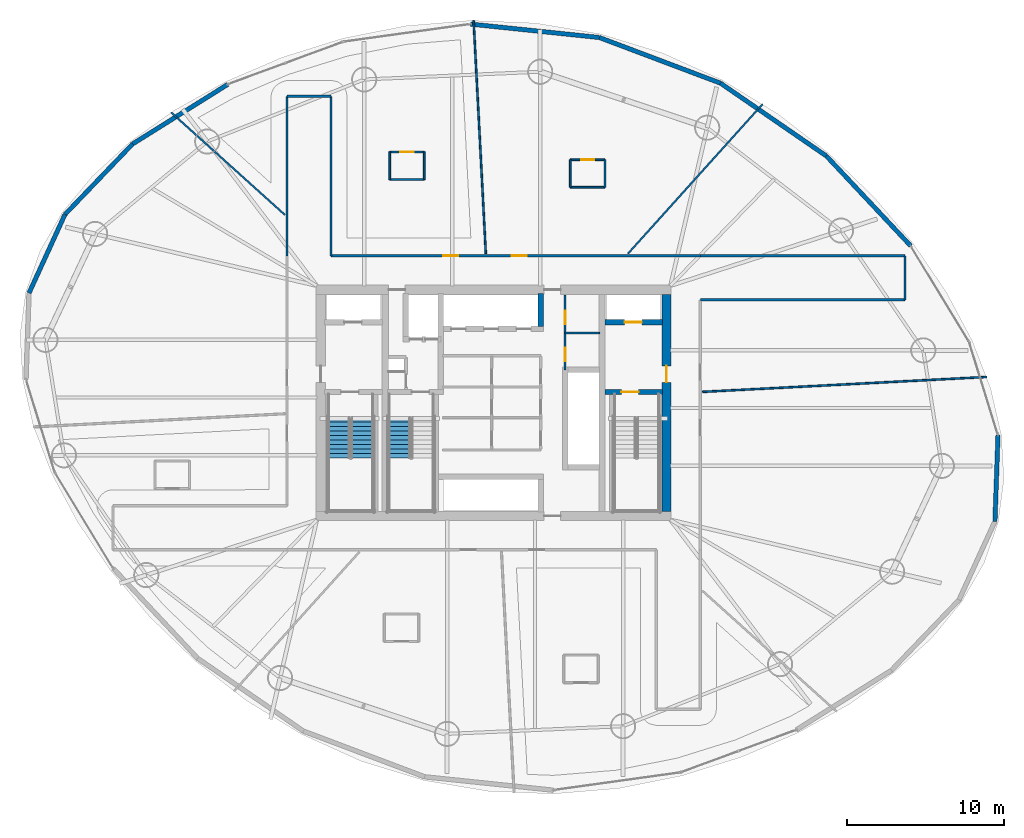
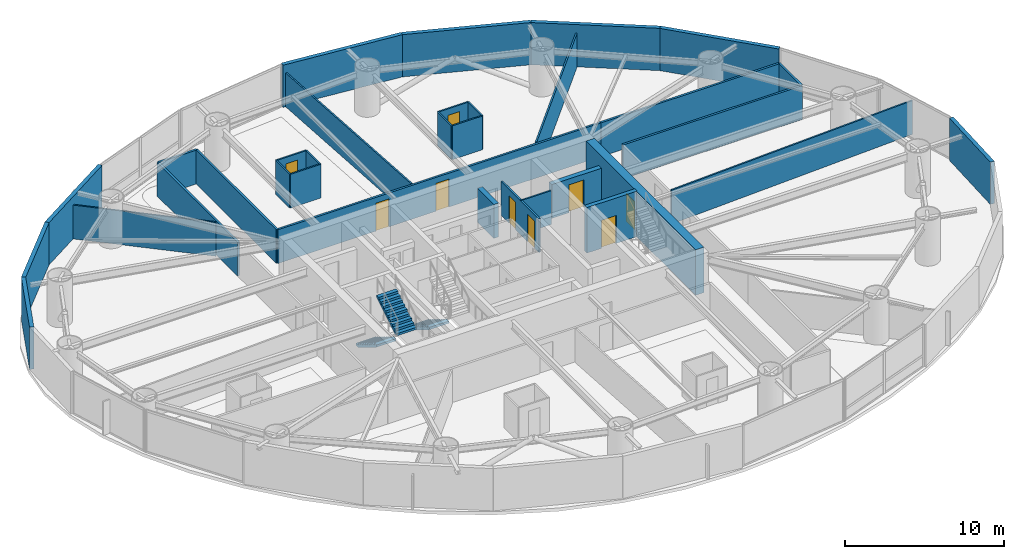
# One storey, part 25 of 30: 33 walls, 9 doors, 3 stair flights, 9 openings, 2 elements without a shape of their own.
"""IFC4 building model written with IfcOpenShell, lengths in metres."""

from ifc_helpers import new_model, si_unit, direction, frame, frame_2d, origin, place, context, subcontext, project, spatial, polyline, rectangle, outline, extrude, material, layer, layer_set, type_object, element, fill, aggregate, save


model = new_model("IFC4")

# Units and contexts
model_context = context("Model", 3, precision=1e-05, world=origin(), true_north=direction((0.0, 1.0)))
body_context = subcontext(model_context, "Body", "Model", "MODEL_VIEW")
ifc_project = project(units=[si_unit("LENGTHUNIT", "METRE"), si_unit("AREAUNIT", "SQUARE_METRE"), si_unit("VOLUMEUNIT", "CUBIC_METRE"), si_unit("PLANEANGLEUNIT", "RADIAN"), si_unit("MASSUNIT", "GRAM", prefix="KILO")], contexts=[model_context])

# Site, building, storey
site_placement = place(None, origin())
site = spatial("IfcSite", under=ifc_project, at=site_placement, CompositionType="ELEMENT")
building_placement = place(site_placement, origin())
building = spatial("IfcBuilding", under=site, at=building_placement, Name="Bramvorn Convention Spire", CompositionType="ELEMENT")
storey_placement = place(building_placement, frame((0.0, 0.0, 86.89990234375)))
storey = spatial("IfcBuildingStorey", under=building, at=storey_placement, Name="L20", CompositionType="ELEMENT", Elevation=86.89990234375)

# Wall, opening, door
ifc_material_1 = material(Name="Concrete C60/70", Category="concrete")
ifc_layer_1 = layer(ifc_material_1, 0.60009765625)
ifc_layer_set_1 = layer_set([ifc_layer_1], Name="Concrete C60/70 - WL-CORE-600")
wall_type_1 = type_object("IfcWallType", Name="WL-CORE-600", PredefinedType="SHEAR", material=ifc_layer_set_1)
wall_1_placement = place(storey_placement, frame((49.0, 19.10009765625, 0.0), z_axis=(0.0, 0.0, 1.0), x_axis=(0.0, 1.0, 0.0)))
wall_1 = element("IfcWall", 1, at=wall_1_placement, inside=storey, type_object=wall_type_1, Name="L20 East RC core shear wall", PredefinedType="SHEAR", context=body_context, shape_type="SweptSolid", body=[
    extrude(rectangle(XDim=13.7998046875, YDim=0.60009765625, at=frame_2d((6.89990234375, 0.0))), origin(), (0.0, 0.0, 1.0), 3.5),
])
opening_1_placement = place(wall_1_placement, frame((8.199951171875, 0.0, 0.0)))
opening_1 = element("IfcOpeningElement", 2, at=opening_1_placement, cuts=wall_1, Name="Opening DL-105", PredefinedType="OPENING", context=body_context, shape_type="SweptSolid", body=[
    extrude(rectangle(XDim=1.050048828125, YDim=2.14990234375, at=frame_2d((0.52490234375, 1.074951171875))), frame((0.0, 0.31005859375, 0.0), z_axis=(0.0, -1.0, 0.0), x_axis=(1.0, 0.0, 0.0)), (0.0, 0.0, 1.0), 0.6201171875),
])
ifc_material_2 = material(Name="Smoke-Sealed Fire Lobby Timber-Core Door", Category="wood")
door_type_1 = type_object("IfcDoorType", Name="DR-LOBBY-1050", OperationType="NOTDEFINED", PredefinedType="DOOR", material=ifc_material_2)
door_1_placement = place(opening_1_placement, origin())
door_1 = element("IfcDoor", 3, at=door_1_placement, inside=storey, type_object=door_type_1, Name="L20 East Firefighting Lobby corridor door", OperationType="SINGLE_SWING_LEFT", OverallHeight=2.14990234375, OverallWidth=1.050048828125, PredefinedType="DOOR", context=body_context, shape_type="SweptSolid", body=[
    extrude(rectangle(XDim=1.050048828125, YDim=2.14990234375, at=frame_2d((0.52490234375, 1.074951171875))), frame((0.0, 0.02490234375, 0.0), z_axis=(0.0, -1.0, 0.0), x_axis=(1.0, 0.0, 0.0)), (0.0, 0.0, 1.0), 0.050048828125),
])
fill(opening_1, door_1)

ifc_material_3 = material(Name="Concrete C50/60", Category="concrete")
ifc_layer_2 = layer(ifc_material_3, 0.35009765625)
ifc_layer_set_2 = layer_set([ifc_layer_2], Name="Concrete C50/60 - WL-CORE-INT-350")
wall_type_2 = type_object("IfcWallType", Name="WL-CORE-INT-350", PredefinedType="SHEAR", material=ifc_layer_set_2)
wall_2_placement = place(storey_placement, frame((45.080078125, 31.1201171875, 0.0), z_axis=(0.0, 0.0, 1.0), x_axis=(1.0, 0.0, 0.0)))
wall_2 = element("IfcWall", 4, at=wall_2_placement, inside=storey, type_object=wall_type_2, Name="L20 FE2 shaft front wall", PredefinedType="SHEAR", context=body_context, shape_type="SweptSolid", body=[
    extrude(rectangle(XDim=3.669921875, YDim=0.35009765625, at=frame_2d((1.8349609375, 0.0))), origin(), (0.0, 0.0, 1.0), 2.60009765625),
])
opening_2_placement = place(wall_2_placement, frame((1.25, 0.0, 0.0)))
opening_2 = element("IfcOpeningElement", 5, at=opening_2_placement, cuts=wall_2, Name="Opening LD-110", PredefinedType="OPENING", context=body_context, shape_type="SweptSolid", body=[
    extrude(rectangle(XDim=1.10009765625, YDim=2.14990234375, at=frame_2d((0.550048828125, 1.074951171875))), frame((0.0, 0.18505859375, 0.0), z_axis=(0.0, -1.0, 0.0), x_axis=(1.0, 0.0, 0.0)), (0.0, 0.0, 1.0), 0.3701171875),
])
ifc_material_4 = material(Name="Firefighting & Service Lift Sliding Landing Door", Category="steel")
door_type_2 = type_object("IfcDoorType", Name="DR-LIFT-LD-1100", OperationType="NOTDEFINED", PredefinedType="DOOR", material=ifc_material_4)
door_2_placement = place(opening_2_placement, origin())
door_2 = element("IfcDoor", 6, at=door_2_placement, inside=storey, type_object=door_type_2, Name="L20 Lift FE2 Sliding Landing Door", OperationType="SLIDING_TO_LEFT", OverallHeight=2.14990234375, OverallWidth=1.10009765625, PredefinedType="DOOR", context=body_context, shape_type="SweptSolid", body=[
    extrude(rectangle(XDim=1.10009765625, YDim=2.14990234375, at=frame_2d((0.550048828125, 1.074951171875))), frame((0.0, 0.02490234375, 0.0), z_axis=(0.0, -1.0, 0.0), x_axis=(1.0, 0.0, 0.0)), (0.0, 0.0, 1.0), 0.050048828125),
])
fill(opening_2, door_2)

# Walls
wall_3_placement = place(storey_placement, frame((41.0, 30.8701171875, 0.0), z_axis=(0.0, 0.0, 1.0), x_axis=(0.0, 1.0, 0.0)))
element("IfcWall", 7, at=wall_3_placement, inside=storey, type_object=wall_type_2, Name="L20 Low-rise bank east cheek wall", PredefinedType="SHEAR", context=body_context, shape_type="SweptSolid", body=[
    extrude(rectangle(XDim=2.079833984375, YDim=0.35009765625, at=frame_2d((1.0400390625, 0.0))), origin(), (0.0, 0.0, 1.0), 2.60009765625),
])
ifc_material_5 = material(Name="Precast Concrete C40/50 with Bronze Terracotta Rainscreen", Category="masonry")
ifc_layer_3 = layer(ifc_material_5, 0.300048828125)
ifc_layer_set_3 = layer_set([ifc_layer_3], Name="Precast Concrete C40/50 with Bronze Terracotta Rainscreen - WL-EXT-BRONZE-300")
wall_type_3 = type_object("IfcWallType", Name="WL-EXT-BRONZE-300", PredefinedType="SOLIDWALL", material=ifc_layer_set_3)
wall_4_placement = place(storey_placement, frame((70.09375, 23.952880859375, 0.0), z_axis=(0.0, 0.0, 1.0), x_axis=(-0.035084816569, -0.999384338303, 0.0)))
element("IfcWall", 8, at=wall_4_placement, inside=storey, type_object=wall_type_3, Name="L20 expressed bronze Gothic lancet pier wall 01", PredefinedType="SOLIDWALL", context=body_context, shape_type="SweptSolid", body=[
    extrude(rectangle(XDim=5.497314453125, YDim=0.280029296875, at=frame_2d((2.74853515625, 0.0))), origin(), (0.0, 0.0, 1.0), 3.25),
])
wall_5_placement = place(storey_placement, frame((59.17138671875, 41.707763671875, 0.0), z_axis=(0.0, 0.0, 1.0), x_axis=(0.684312676724, -0.729188700183, 0.0)))
element("IfcWall", 9, at=wall_5_placement, inside=storey, type_object=wall_type_3, Name="L20 expressed bronze Gothic lancet pier wall 04", PredefinedType="SOLIDWALL", context=body_context, shape_type="SweptSolid", body=[
    extrude(rectangle(XDim=7.844970703125, YDim=0.280029296875, at=frame_2d((3.92236328125, 0.0))), origin(), (0.0, 0.0, 1.0), 3.25),
])
wall_6_placement = place(storey_placement, frame((52.439697265625, 46.3388671875, 0.0), z_axis=(0.0, 0.0, 1.0), x_axis=(0.823866650005, -0.566783682731, 0.0)))
element("IfcWall", 10, at=wall_6_placement, inside=storey, type_object=wall_type_3, Name="L20 expressed bronze Gothic lancet pier wall 05", PredefinedType="SOLIDWALL", context=body_context, shape_type="SweptSolid", body=[
    extrude(rectangle(XDim=8.1708984375, YDim=0.280029296875, at=frame_2d((4.08544921875, 0.0))), origin(), (0.0, 0.0, 1.0), 3.25),
])
for number, where, z_axis, x_axis, name in (
    (11, (44.728271484375, 49.24609375, 0.0), (0.0, 0.0, 1.0), (0.935711714366, -0.352765627008, 0.0), "L20 expressed bronze Gothic lancet pier wall 06"),
    (12, (36.53125, 50.099365234375, 0.0), (0.0, 0.0, 1.0), (0.994625720195, -0.103535871693, 0.0), "L20 expressed bronze Gothic lancet pier wall 07"),
):
    element("IfcWall", number, at=place(storey_placement, frame(where, z_axis=z_axis, x_axis=x_axis)), inside=storey, type_object=wall_type_3, Name=name, PredefinedType="SOLIDWALL", context=body_context, shape_type="SweptSolid", body=[
        extrude(rectangle(XDim=8.2412109375, YDim=0.280029296875, at=frame_2d((4.12060546875, 0.0))), origin(), (0.0, 0.0, 1.0), 3.25),
    ])
wall_7_placement = place(storey_placement, frame((15.023681640625, 42.469970703125, 0.0), z_axis=(0.0, 0.0, 1.0), x_axis=(0.847464048159, 0.530852792287, 0.0)))
element("IfcWall", 13, at=wall_7_placement, inside=storey, type_object=wall_type_3, Name="L20 expressed bronze Gothic lancet pier wall 10", PredefinedType="SOLIDWALL", context=body_context, shape_type="SweptSolid", body=[
    extrude(rectangle(XDim=7.142822265625, YDim=0.280029296875, at=frame_2d((3.5712890625, 0.0))), origin(), (0.0, 0.0, 1.0), 3.25),
])
wall_8_placement = place(storey_placement, frame((10.72216796875, 37.98779296875, 0.0), z_axis=(0.0, 0.0, 1.0), x_axis=(0.692416473414, 0.721498043896, 0.0)))
element("IfcWall", 14, at=wall_8_placement, inside=storey, type_object=wall_type_3, Name="L20 expressed bronze Gothic lancet pier wall 11", PredefinedType="SOLIDWALL", context=body_context, shape_type="SweptSolid", body=[
    extrude(rectangle(XDim=6.21240234375, YDim=0.280029296875, at=frame_2d((3.106201171875, 0.0))), origin(), (0.0, 0.0, 1.0), 3.25),
])
wall_9_placement = place(storey_placement, frame((8.434814453125, 32.989013671875, 0.0), z_axis=(0.0, 0.0, 1.0), x_axis=(0.416090344284, 0.909323278814, 0.0)))
element("IfcWall", 15, at=wall_9_placement, inside=storey, type_object=wall_type_3, Name="L20 expressed bronze Gothic lancet pier wall 12", PredefinedType="SOLIDWALL", context=body_context, shape_type="SweptSolid", body=[
    extrude(rectangle(XDim=5.497314453125, YDim=0.280029296875, at=frame_2d((2.74853515625, 0.0))), origin(), (0.0, 0.0, 1.0), 3.25),
])
ifc_material_6 = material(Name="Lightweight En-Suite & Wet-Wall Partition", Category="gypsum")
ifc_layer_4 = layer(ifc_material_6, 0.110107421875)
ifc_layer_set_4 = layer_set([ifc_layer_4], Name="Lightweight En-Suite & Wet-Wall Partition - WL-PART-110")
wall_type_4 = type_object("IfcWallType", Name="WL-PART-110", PredefinedType="PARTITIONING", material=ifc_layer_set_4)
wall_10_placement = place(storey_placement, frame((42.550048828125, 30.449951171875, 0.0), z_axis=(0.0, 0.0, 1.0), x_axis=(1.0, 0.0, 0.0)))
element("IfcWall", 16, at=wall_10_placement, inside=storey, type_object=wall_type_4, Name="L20 KB NE divider", PredefinedType="PARTITIONING", context=body_context, shape_type="SweptSolid", body=[
    extrude(rectangle(XDim=2.199951171875, YDim=0.110107421875, at=frame_2d((1.10009765625, 0.0))), origin(), (0.0, 0.0, 1.0), 2.60009765625),
])
wall_11_placement = place(storey_placement, frame((51.2900390625, 26.696533203125, 0.0), z_axis=(0.0, 0.0, 1.0), x_axis=(0.998629382131, 0.052338868396, 0.0)))
element("IfcWall", 17, at=wall_11_placement, inside=storey, type_object=wall_type_4, Name="L20 Guestroom demising wall 1", PredefinedType="PARTITIONING", context=body_context, shape_type="SweptSolid", body=[
    extrude(rectangle(XDim=18.117431640625, YDim=0.110107421875, at=frame_2d((9.05859375, 0.0))), origin(), (0.0, 0.0, 1.0), 2.60009765625),
])
wall_12_placement = place(storey_placement, frame((46.544921875, 35.489990234375, 0.0), z_axis=(0.0, 0.0, 1.0), x_axis=(0.669123599227, 0.743151134668, 0.0)))
element("IfcWall", 18, at=wall_12_placement, inside=storey, type_object=wall_type_4, Name="L20 Guestroom demising wall 2", PredefinedType="PARTITIONING", context=body_context, shape_type="SweptSolid", body=[
    extrude(rectangle(XDim=12.819091796875, YDim=0.110107421875, at=frame_2d((6.40966796875, 0.0))), origin(), (0.0, 0.0, 1.0), 2.60009765625),
])
wall_13_placement = place(storey_placement, frame((37.502685546875, 35.489990234375, 0.0), z_axis=(0.0, 0.0, 1.0), x_axis=(-0.052342802502, 0.998629175934, 0.0)))
element("IfcWall", 19, at=wall_13_placement, inside=storey, type_object=wall_type_4, Name="L20 Guestroom demising wall 3", PredefinedType="PARTITIONING", context=body_context, shape_type="SweptSolid", body=[
    extrude(rectangle(XDim=14.888427734375, YDim=0.110107421875, at=frame_2d((7.4443359375, 0.0))), origin(), (0.0, 0.0, 1.0), 2.60009765625),
])
wall_14_placement = place(storey_placement, frame((24.7099609375, 37.96630859375, 0.0), z_axis=(0.0, 0.0, 1.0), x_axis=(-0.743136101369, 0.669140295336, 0.0)))
element("IfcWall", 20, at=wall_14_placement, inside=storey, type_object=wall_type_4, Name="L20 Guestroom demising wall 4", PredefinedType="PARTITIONING", context=body_context, shape_type="SweptSolid", body=[
    extrude(rectangle(XDim=9.75634765625, YDim=0.110107421875, at=frame_2d((4.878173828125, 0.0))), origin(), (0.0, 0.0, 1.0), 2.60009765625),
])
wall_15_placement = place(storey_placement, frame((42.880126953125, 39.711181640625, 0.0), z_axis=(0.0, 0.0, 1.0), x_axis=(1.0, 0.0, 0.0)))
element("IfcWall", 21, at=wall_15_placement, inside=storey, type_object=wall_type_4, Name="Hotel Suite 2002 en-suite south wall", PredefinedType="PARTITIONING", context=body_context, shape_type="SweptSolid", body=[
    extrude(rectangle(XDim=2.199951171875, YDim=0.110107421875, at=frame_2d((1.10009765625, 0.0))), origin(), (0.0, 0.0, 1.0), 2.60009765625),
])

# Wall, opening, door
wall_16_placement = place(storey_placement, frame((42.880126953125, 41.47119140625, 0.0), z_axis=(0.0, 0.0, 1.0), x_axis=(1.0, 0.0, 0.0)))
wall_16 = element("IfcWall", 22, at=wall_16_placement, inside=storey, type_object=wall_type_4, Name="Hotel Suite 2002 en-suite north wall", PredefinedType="PARTITIONING", context=body_context, shape_type="SweptSolid", body=[
    extrude(rectangle(XDim=2.199951171875, YDim=0.110107421875, at=frame_2d((1.10009765625, 0.0))), origin(), (0.0, 0.0, 1.0), 2.60009765625),
])
opening_3_placement = place(wall_16_placement, frame((0.679931640625, 0.0, 0.0)))
opening_3 = element("IfcOpeningElement", 23, at=opening_3_placement, cuts=wall_16, Name="Opening DI-085", PredefinedType="OPENING", context=body_context, shape_type="SweptSolid", body=[
    extrude(rectangle(XDim=0.85009765625, YDim=2.10009765625, at=frame_2d((0.425048828125, 1.050048828125))), frame((0.0, 0.06494140625, 0.0), z_axis=(0.0, -1.0, 0.0), x_axis=(1.0, 0.0, 0.0)), (0.0, 0.0, 1.0), 0.130126953125),
])
ifc_material_7 = material(Name="En-Suite & Restroom Privacy Door", Category="wood")
door_type_3 = type_object("IfcDoorType", Name="DR-INT-850", OperationType="NOTDEFINED", PredefinedType="DOOR", material=ifc_material_7)
door_3_placement = place(opening_3_placement, origin())
door_3 = element("IfcDoor", 24, at=door_3_placement, inside=storey, type_object=door_type_3, Name="Hotel Suite 2002 En-Suite Bathroom door", OperationType="SINGLE_SWING_LEFT", OverallHeight=2.10009765625, OverallWidth=0.85009765625, PredefinedType="DOOR", context=body_context, shape_type="SweptSolid", body=[
    extrude(rectangle(XDim=0.85009765625, YDim=2.10009765625, at=frame_2d((0.425048828125, 1.050048828125))), frame((0.0, 0.02490234375, 0.0), z_axis=(0.0, -1.0, 0.0), x_axis=(1.0, 0.0, 0.0)), (0.0, 0.0, 1.0), 0.050048828125),
])
fill(opening_3, door_3)

# Walls
for number, where, z_axis, x_axis, name in (
    (25, (42.880126953125, 39.711181640625, 0.0), (0.0, 0.0, 1.0), (0.0, 1.0, 0.0), "Hotel Suite 2002 en-suite west wall"),
    (26, (45.080078125, 39.711181640625, 0.0), (0.0, 0.0, 1.0), (0.0, 1.0, 0.0), "Hotel Suite 2002 en-suite east wall"),
):
    element("IfcWall", number, at=place(storey_placement, frame(where, z_axis=z_axis, x_axis=x_axis)), inside=storey, type_object=wall_type_4, Name=name, PredefinedType="PARTITIONING", context=body_context, shape_type="SweptSolid", body=[
        extrude(rectangle(XDim=1.760009765625, YDim=0.110107421875, at=frame_2d((0.8798828125, 0.0))), origin(), (0.0, 0.0, 1.0), 2.60009765625),
    ])
wall_17_placement = place(storey_placement, frame((31.388916015625, 40.205078125, 0.0), z_axis=(0.0, 0.0, 1.0), x_axis=(1.0, 0.0, 0.0)))
element("IfcWall", 27, at=wall_17_placement, inside=storey, type_object=wall_type_4, Name="Hotel Suite 2003 en-suite south wall", PredefinedType="PARTITIONING", context=body_context, shape_type="SweptSolid", body=[
    extrude(rectangle(XDim=2.199951171875, YDim=0.110107421875, at=frame_2d((1.10009765625, 0.0))), origin(), (0.0, 0.0, 1.0), 2.60009765625),
])

# Wall, opening, door
wall_18_placement = place(storey_placement, frame((31.388916015625, 41.965087890625, 0.0), z_axis=(0.0, 0.0, 1.0), x_axis=(1.0, 0.0, 0.0)))
wall_18 = element("IfcWall", 28, at=wall_18_placement, inside=storey, type_object=wall_type_4, Name="Hotel Suite 2003 en-suite north wall", PredefinedType="PARTITIONING", context=body_context, shape_type="SweptSolid", body=[
    extrude(rectangle(XDim=2.199951171875, YDim=0.110107421875, at=frame_2d((1.10009765625, 0.0))), origin(), (0.0, 0.0, 1.0), 2.60009765625),
])
opening_4_placement = place(wall_18_placement, frame((0.679931640625, 0.0, 0.0)))
opening_4 = element("IfcOpeningElement", 29, at=opening_4_placement, cuts=wall_18, Name="Opening DI-085", PredefinedType="OPENING", context=body_context, shape_type="SweptSolid", body=[
    extrude(rectangle(XDim=0.85009765625, YDim=2.10009765625, at=frame_2d((0.425048828125, 1.050048828125))), frame((0.0, 0.06494140625, 0.0), z_axis=(0.0, -1.0, 0.0), x_axis=(1.0, 0.0, 0.0)), (0.0, 0.0, 1.0), 0.130126953125),
])
door_4_placement = place(opening_4_placement, origin())
door_4 = element("IfcDoor", 30, at=door_4_placement, inside=storey, type_object=door_type_3, Name="Hotel Suite 2003 En-Suite Bathroom door", OperationType="SINGLE_SWING_LEFT", OverallHeight=2.10009765625, OverallWidth=0.85009765625, PredefinedType="DOOR", context=body_context, shape_type="SweptSolid", body=[
    extrude(rectangle(XDim=0.85009765625, YDim=2.10009765625, at=frame_2d((0.425048828125, 1.050048828125))), frame((0.0, 0.02490234375, 0.0), z_axis=(0.0, -1.0, 0.0), x_axis=(1.0, 0.0, 0.0)), (0.0, 0.0, 1.0), 0.050048828125),
])
fill(opening_4, door_4)

# Walls
for number, where, z_axis, x_axis, name in (
    (31, (31.388916015625, 40.205078125, 0.0), (0.0, 0.0, 1.0), (0.0, 1.0, 0.0), "Hotel Suite 2003 en-suite west wall"),
    (32, (33.5888671875, 40.205078125, 0.0), (0.0, 0.0, 1.0), (0.0, 1.0, 0.0), "Hotel Suite 2003 en-suite east wall"),
):
    element("IfcWall", number, at=place(storey_placement, frame(where, z_axis=z_axis, x_axis=x_axis)), inside=storey, type_object=wall_type_4, Name=name, PredefinedType="PARTITIONING", context=body_context, shape_type="SweptSolid", body=[
        extrude(rectangle(XDim=1.760009765625, YDim=0.110107421875, at=frame_2d((0.8798828125, 0.0))), origin(), (0.0, 0.0, 1.0), 2.60009765625),
    ])

# Wall, openings, doors
ifc_material_8 = material(Name="Metal-Stud Demountable Office Partition", Category="gypsum")
ifc_layer_5 = layer(ifc_material_8, 0.1298828125)
ifc_layer_set_5 = layer_set([ifc_layer_5], Name="Metal-Stud Demountable Office Partition - WL-PART-130")
wall_type_5 = type_object("IfcWallType", Name="WL-PART-130", PredefinedType="PARTITIONING", material=ifc_layer_set_5)
wall_19_placement = place(storey_placement, frame((42.550048828125, 28.10009765625, 0.0), z_axis=(0.0, 0.0, 1.0), x_axis=(0.0, 1.0, 0.0)))
wall_19 = element("IfcWall", 33, at=wall_19_placement, inside=storey, type_object=wall_type_5, Name="L20 KB NE split wall", PredefinedType="PARTITIONING", context=body_context, shape_type="SweptSolid", body=[
    extrude(rectangle(XDim=4.75, YDim=0.1298828125, at=frame_2d((2.375, 0.0))), origin(), (0.0, 0.0, 1.0), 2.60009765625),
])
opening_5_placement = place(wall_19_placement, frame((0.550048828125, 0.0, 0.0)))
opening_5 = element("IfcOpeningElement", 34, at=opening_5_placement, cuts=wall_19, Name="Opening DC-085", PredefinedType="OPENING", context=body_context, shape_type="SweptSolid", body=[
    extrude(rectangle(XDim=0.85009765625, YDim=2.10009765625, at=frame_2d((0.425048828125, 1.050048828125))), frame((0.0, 0.074951171875, 0.0), z_axis=(0.0, -1.0, 0.0), x_axis=(1.0, 0.0, 0.0)), (0.0, 0.0, 1.0), 0.14990234375),
])
opening_6_placement = place(wall_19_placement, frame((2.89990234375, 0.0, 0.0)))
opening_6 = element("IfcOpeningElement", 35, at=opening_6_placement, cuts=wall_19, Name="Opening DC-085", PredefinedType="OPENING", context=body_context, shape_type="SweptSolid", body=[
    extrude(rectangle(XDim=0.85009765625, YDim=2.10009765625, at=frame_2d((0.425048828125, 1.050048828125))), frame((0.0, 0.074951171875, 0.0), z_axis=(0.0, -1.0, 0.0), x_axis=(1.0, 0.0, 0.0)), (0.0, 0.0, 1.0), 0.14990234375),
])
ifc_material_9 = material(Name="Fire-Rated Core Washroom & IDF Door", Category="wood")
door_type_4 = type_object("IfcDoorType", Name="DR-CORE-850", OperationType="NOTDEFINED", PredefinedType="DOOR", material=ifc_material_9)
door_5_placement = place(opening_5_placement, origin())
door_5 = element("IfcDoor", 36, at=door_5_placement, inside=storey, type_object=door_type_4, Name="L20 Core Staff WC door", OperationType="SINGLE_SWING_LEFT", OverallHeight=2.10009765625, OverallWidth=0.85009765625, PredefinedType="DOOR", context=body_context, shape_type="SweptSolid", body=[
    extrude(rectangle(XDim=0.85009765625, YDim=2.10009765625, at=frame_2d((0.425048828125, 1.050048828125))), frame((0.0, 0.02490234375, 0.0), z_axis=(0.0, -1.0, 0.0), x_axis=(1.0, 0.0, 0.0)), (0.0, 0.0, 1.0), 0.050048828125),
])
fill(opening_5, door_5)
door_6_placement = place(opening_6_placement, origin())
door_6 = element("IfcDoor", 37, at=door_6_placement, inside=storey, type_object=door_type_4, Name="L20 Core Data Closet door", OperationType="SINGLE_SWING_LEFT", OverallHeight=2.10009765625, OverallWidth=0.85009765625, PredefinedType="DOOR", context=body_context, shape_type="SweptSolid", body=[
    extrude(rectangle(XDim=0.85009765625, YDim=2.10009765625, at=frame_2d((0.425048828125, 1.050048828125))), frame((0.0, 0.02490234375, 0.0), z_axis=(0.0, -1.0, 0.0), x_axis=(1.0, 0.0, 0.0)), (0.0, 0.0, 1.0), 0.050048828125),
])
fill(opening_6, door_6)

ifc_material_10 = material(Name="Acoustic Metal-Stud Tenant/Corridor Partition", Category="gypsum")
ifc_layer_6 = layer(ifc_material_10, 0.14990234375)
ifc_layer_set_6 = layer_set([ifc_layer_6], Name="Acoustic Metal-Stud Tenant/Corridor Partition - WL-PART-150")
wall_type_6 = type_object("IfcWallType", Name="WL-PART-150", PredefinedType="PARTITIONING", material=ifc_layer_set_6)
wall_20_placement = place(storey_placement, frame((27.64990234375, 35.35009765625, 0.0), z_axis=(0.0, 0.0, 1.0), x_axis=(1.0, 0.0, 0.0)))
wall_20 = element("IfcWall", 38, at=wall_20_placement, inside=storey, type_object=wall_type_6, Name="L20 North ring corridor wall", PredefinedType="PARTITIONING", context=body_context, shape_type="SweptSolid", body=[
    extrude(rectangle(XDim=23.5, YDim=0.14990234375, at=frame_2d((11.75, 0.0))), origin(), (0.0, 0.0, 1.0), 2.60009765625),
])
opening_7_placement = place(wall_20_placement, frame((11.492919921875, 0.0, 0.0)))
opening_7 = element("IfcOpeningElement", 39, at=opening_7_placement, cuts=wall_20, Name="Opening DH-095", PredefinedType="OPENING", context=body_context, shape_type="SweptSolid", body=[
    extrude(rectangle(XDim=0.949951171875, YDim=2.14990234375, at=frame_2d((0.47509765625, 1.074951171875))), frame((0.0, 0.0849609375, 0.0), z_axis=(0.0, -1.0, 0.0), x_axis=(1.0, 0.0, 0.0)), (0.0, 0.0, 1.0), 0.169921875),
])
opening_8_placement = place(wall_20_placement, frame((7.137451171875, 0.0, 0.0)))
opening_8 = element("IfcOpeningElement", 40, at=opening_8_placement, cuts=wall_20, Name="Opening DH-095", PredefinedType="OPENING", context=body_context, shape_type="SweptSolid", body=[
    extrude(rectangle(XDim=0.949951171875, YDim=2.14990234375, at=frame_2d((0.47509765625, 1.074951171875))), frame((0.0, 0.0849609375, 0.0), z_axis=(0.0, -1.0, 0.0), x_axis=(1.0, 0.0, 0.0)), (0.0, 0.0, 1.0), 0.169921875),
])
ifc_material_11 = material(Name="Solid-Core Acoustic Guestroom Entry Door", Category="wood")
door_type_5 = type_object("IfcDoorType", Name="DR-HOTEL-950", OperationType="NOTDEFINED", PredefinedType="DOOR", material=ifc_material_11)
door_7_placement = place(opening_7_placement, origin())
door_7 = element("IfcDoor", 41, at=door_7_placement, inside=storey, type_object=door_type_5, Name="Hotel Suite 2002 entry door", OperationType="SINGLE_SWING_LEFT", OverallHeight=2.14990234375, OverallWidth=0.949951171875, PredefinedType="DOOR", context=body_context, shape_type="SweptSolid", body=[
    extrude(rectangle(XDim=0.949951171875, YDim=2.14990234375, at=frame_2d((0.47509765625, 1.074951171875))), frame((0.0, 0.02490234375, 0.0), z_axis=(0.0, -1.0, 0.0), x_axis=(1.0, 0.0, 0.0)), (0.0, 0.0, 1.0), 0.050048828125),
])
fill(opening_7, door_7)
door_8_placement = place(opening_8_placement, origin())
door_8 = element("IfcDoor", 42, at=door_8_placement, inside=storey, type_object=door_type_5, Name="Hotel Suite 2003 entry door", OperationType="SINGLE_SWING_RIGHT", OverallHeight=2.14990234375, OverallWidth=0.949951171875, PredefinedType="DOOR", context=body_context, shape_type="SweptSolid", body=[
    extrude(rectangle(XDim=0.949951171875, YDim=2.14990234375, at=frame_2d((0.47509765625, 1.074951171875))), frame((0.0, 0.02490234375, 0.0), z_axis=(0.0, -1.0, 0.0), x_axis=(1.0, 0.0, 0.0)), (0.0, 0.0, 1.0), 0.050048828125),
])
fill(opening_8, door_8)

# Walls
for number, where, z_axis, x_axis, name in (
    (43, (51.14990234375, 35.35009765625, 0.0), (0.0, 0.0, 1.0), (1.0, 0.0, 0.0), "L20 NE pinwheel wing north wall"),
    (44, (51.14990234375, 32.550048828125, 0.0), (0.0, 0.0, 1.0), (1.0, 0.0, 0.0), "L20 NE pinwheel wing south wall"),
):
    element("IfcWall", number, at=place(storey_placement, frame(where, z_axis=z_axis, x_axis=x_axis)), inside=storey, type_object=wall_type_6, Name=name, PredefinedType="PARTITIONING", context=body_context, shape_type="SweptSolid", body=[
        extrude(rectangle(XDim=13.026611328125, YDim=0.14990234375, at=frame_2d((6.51318359375, 0.0))), origin(), (0.0, 0.0, 1.0), 2.60009765625),
    ])
wall_21_placement = place(storey_placement, frame((64.176513671875, 32.550048828125, 0.0), z_axis=(0.0, 0.0, 1.0), x_axis=(0.0, 1.0, 0.0)))
element("IfcWall", 45, at=wall_21_placement, inside=storey, type_object=wall_type_6, Name="L20 NE pinwheel end wall", PredefinedType="PARTITIONING", context=body_context, shape_type="SweptSolid", body=[
    extrude(rectangle(XDim=2.800048828125, YDim=0.14990234375, at=frame_2d((1.39990234375, 0.0))), origin(), (0.0, 0.0, 1.0), 2.60009765625),
])
for number, where, z_axis, x_axis, name in (
    (46, (24.85009765625, 35.35009765625, 0.0), (0.0, 0.0, 1.0), (0.0, 1.0, 0.0), "L20 NW pinwheel wing west wall"),
    (47, (27.64990234375, 35.35009765625, 0.0), (0.0, 0.0, 1.0), (0.0, 1.0, 0.0), "L20 NW pinwheel wing east wall"),
):
    element("IfcWall", number, at=place(storey_placement, frame(where, z_axis=z_axis, x_axis=x_axis)), inside=storey, type_object=wall_type_6, Name=name, PredefinedType="PARTITIONING", context=body_context, shape_type="SweptSolid", body=[
        extrude(rectangle(XDim=10.14990234375, YDim=0.14990234375, at=frame_2d((5.074951171875, 0.0))), origin(), (0.0, 0.0, 1.0), 2.60009765625),
    ])
wall_22_placement = place(storey_placement, frame((24.85009765625, 45.5, 0.0), z_axis=(0.0, 0.0, 1.0), x_axis=(1.0, 0.0, 0.0)))
element("IfcWall", 48, at=wall_22_placement, inside=storey, type_object=wall_type_6, Name="L20 NW pinwheel end wall", PredefinedType="PARTITIONING", context=body_context, shape_type="SweptSolid", body=[
    extrude(rectangle(XDim=2.7998046875, YDim=0.14990234375, at=frame_2d((1.39990234375, 0.0))), origin(), (0.0, 0.0, 1.0), 2.60009765625),
])

# Wall, opening, door
ifc_layer_7 = layer(ifc_material_3, 0.300048828125)
ifc_layer_set_7 = layer_set([ifc_layer_7], Name="Concrete C50/60 - WL-POD-STAIR-300")
wall_type_7 = type_object("IfcWallType", Name="WL-POD-STAIR-300", PredefinedType="SHEAR", material=ifc_layer_set_7)
wall_23_placement = place(storey_placement, frame((45.080078125, 26.68994140625, 0.0), z_axis=(0.0, 0.0, 1.0), x_axis=(1.0, 0.0, 0.0)))
wall_23 = element("IfcWall", 49, at=wall_23_placement, inside=storey, type_object=wall_type_7, Name="L20 ST2 north fire wall", PredefinedType="SHEAR", context=body_context, shape_type="SweptSolid", body=[
    extrude(rectangle(XDim=3.669921875, YDim=0.300048828125, at=frame_2d((1.8349609375, 0.0))), origin(), (0.0, 0.0, 1.0), 3.5),
])
opening_9_placement = place(wall_23_placement, frame((1.050048828125, 0.0, 0.0)))
opening_9 = element("IfcOpeningElement", 50, at=opening_9_placement, cuts=wall_23, Name="Opening DS-110", PredefinedType="OPENING", context=body_context, shape_type="SweptSolid", body=[
    extrude(rectangle(XDim=1.10009765625, YDim=2.14990234375, at=frame_2d((0.550048828125, 1.074951171875))), frame((0.0, 0.159912109375, 0.0), z_axis=(0.0, -1.0, 0.0), x_axis=(1.0, 0.0, 0.0)), (0.0, 0.0, 1.0), 0.320068359375),
])
ifc_material_12 = material(Name="Fire-Rated Hollow Steel Stairwell Door", Category="steel")
door_type_6 = type_object("IfcDoorType", Name="DR-STAIR-1100", OperationType="NOTDEFINED", PredefinedType="DOOR", material=ifc_material_12)
door_9_placement = place(opening_9_placement, origin())
door_9 = element("IfcDoor", 51, at=door_9_placement, inside=storey, type_object=door_type_6, Name="L20 Stair ST2 fire door", OperationType="SINGLE_SWING_RIGHT", OverallHeight=2.14990234375, OverallWidth=1.10009765625, PredefinedType="DOOR", context=body_context, shape_type="SweptSolid", body=[
    extrude(rectangle(XDim=1.10009765625, YDim=2.14990234375, at=frame_2d((0.550048828125, 1.074951171875))), frame((0.0, 0.02490234375, 0.0), z_axis=(0.0, -1.0, 0.0), x_axis=(1.0, 0.0, 0.0)), (0.0, 0.0, 1.0), 0.050048828125),
])
fill(opening_9, door_9)

# Stair, stair flights
ifc_material_13 = material(Name="Concrete C40/50 Precast Stair", Category="concrete")
stair_type = type_object("IfcStairType", Name="ST-TOWER-1550", PredefinedType="HALF_TURN_STAIR", material=ifc_material_13)
stair_1_placement = place(storey_placement, origin())
stair_1 = element("IfcStair", 52, at=stair_1_placement, inside=storey, type_object=stair_type, Name="L20 Protected Exit Stair ST1", PredefinedType="HALF_TURN_STAIR")
ifc_material_14 = material(Name="Concrete C40/50 Precast Stair Flight", Category="concrete")
stair_flight_type = type_object("IfcStairFlightType", Name="STF-TOWER-1550", PredefinedType="STRAIGHT", material=ifc_material_14)
stair_flight_1_placement = place(storey_placement, frame((28.155029296875, 25.050048828125, 0.0), z_axis=(0.0, 0.0, 1.0), x_axis=(0.0, -1.0, 0.0)))
stair_flight_1 = element("IfcStairFlight", 53, at=stair_flight_1_placement, type_object=stair_flight_type, Name="ST1 flight 1", NumberOfRisers=10, NumberOfTreads=9, PredefinedType="STRAIGHT", RiserHeight=0.175, TreadLength=0.285, context=body_context, shape_type="SweptSolid", body=[
    extrude(outline(polyline([(0.0, 0.0), (0.0, 0.175048828125), (0.284912109375, 0.175048828125), (0.284912109375, 0.35009765625), (0.570068359375, 0.35009765625), (0.570068359375, 0.52490234375), (0.85498046875, 0.52490234375), (0.85498046875, 0.699951171875), (1.139892578125, 0.699951171875), (1.139892578125, 0.875), (1.425048828125, 0.875), (1.425048828125, 1.050048828125), (1.7099609375, 1.050048828125), (1.7099609375, 1.22509765625), (1.9951171875, 1.22509765625), (1.9951171875, 1.39990234375), (2.280029296875, 1.39990234375), (2.280029296875, 1.574951171875), (2.56494140625, 1.574951171875), (2.56494140625, 1.75), (2.56494140625, 1.399169921875), (0.286376953125, 0.0), (0.0, 0.0)])), frame((0.0, 0.705078125, 0.0), z_axis=(0.0, -1.0, 0.0), x_axis=(1.0, 0.0, 0.0)), (0.0, 0.0, 1.0), 1.409912109375),
])
stair_flight_2_placement = place(storey_placement, frame((29.64501953125, 22.485107421875, 1.75), z_axis=(0.0, 0.0, 1.0), x_axis=(0.0, 1.0, 0.0)))
stair_flight_2 = element("IfcStairFlight", 54, at=stair_flight_2_placement, type_object=stair_flight_type, Name="ST1 flight 2", NumberOfRisers=10, NumberOfTreads=9, PredefinedType="STRAIGHT", RiserHeight=0.175, TreadLength=0.285, context=body_context, shape_type="SweptSolid", body=[
    extrude(outline(polyline([(0.0, 0.0), (0.0, 0.175048828125), (0.284912109375, 0.175048828125), (0.284912109375, 0.35009765625), (0.570068359375, 0.35009765625), (0.570068359375, 0.52490234375), (0.85498046875, 0.52490234375), (0.85498046875, 0.699951171875), (1.139892578125, 0.699951171875), (1.139892578125, 0.875), (1.425048828125, 0.875), (1.425048828125, 1.050048828125), (1.7099609375, 1.050048828125), (1.7099609375, 1.22509765625), (1.9951171875, 1.22509765625), (1.9951171875, 1.39990234375), (2.280029296875, 1.39990234375), (2.280029296875, 1.574951171875), (2.56494140625, 1.574951171875), (2.56494140625, 1.75), (2.56494140625, 1.399169921875), (0.286376953125, 0.0), (0.0, 0.0)])), frame((0.0, 0.705078125, 0.0), z_axis=(0.0, -1.0, 0.0), x_axis=(1.0, 0.0, 0.0)), (0.0, 0.0, 1.0), 1.409912109375),
])
aggregate(stair_1, [stair_flight_1, stair_flight_2])

# Stair, stair flight
stair_2_placement = place(storey_placement, origin())
stair_2 = element("IfcStair", 55, at=stair_2_placement, inside=storey, type_object=stair_type, Name="L20 Protected Exit Stair ST3", PredefinedType="HALF_TURN_STAIR")
stair_flight_3_placement = place(storey_placement, frame((32.0048828125, 25.050048828125, 0.0), z_axis=(0.0, 0.0, 1.0), x_axis=(0.0, -1.0, 0.0)))
stair_flight_3 = element("IfcStairFlight", 56, at=stair_flight_3_placement, type_object=stair_flight_type, Name="ST3 flight 1", NumberOfRisers=10, NumberOfTreads=9, PredefinedType="STRAIGHT", RiserHeight=0.175, TreadLength=0.285, context=body_context, shape_type="SweptSolid", body=[
    extrude(outline(polyline([(0.0, 0.0), (0.0, 0.175048828125), (0.284912109375, 0.175048828125), (0.284912109375, 0.35009765625), (0.570068359375, 0.35009765625), (0.570068359375, 0.52490234375), (0.85498046875, 0.52490234375), (0.85498046875, 0.699951171875), (1.139892578125, 0.699951171875), (1.139892578125, 0.875), (1.425048828125, 0.875), (1.425048828125, 1.050048828125), (1.7099609375, 1.050048828125), (1.7099609375, 1.22509765625), (1.9951171875, 1.22509765625), (1.9951171875, 1.39990234375), (2.280029296875, 1.39990234375), (2.280029296875, 1.574951171875), (2.56494140625, 1.574951171875), (2.56494140625, 1.75), (2.56494140625, 1.399169921875), (0.286376953125, 0.0), (0.0, 0.0)])), frame((0.0, 0.705078125, 0.0), z_axis=(0.0, -1.0, 0.0), x_axis=(1.0, 0.0, 0.0)), (0.0, 0.0, 1.0), 1.409912109375),
])
aggregate(stair_2, [stair_flight_3])

save(model, "model.ifc")
